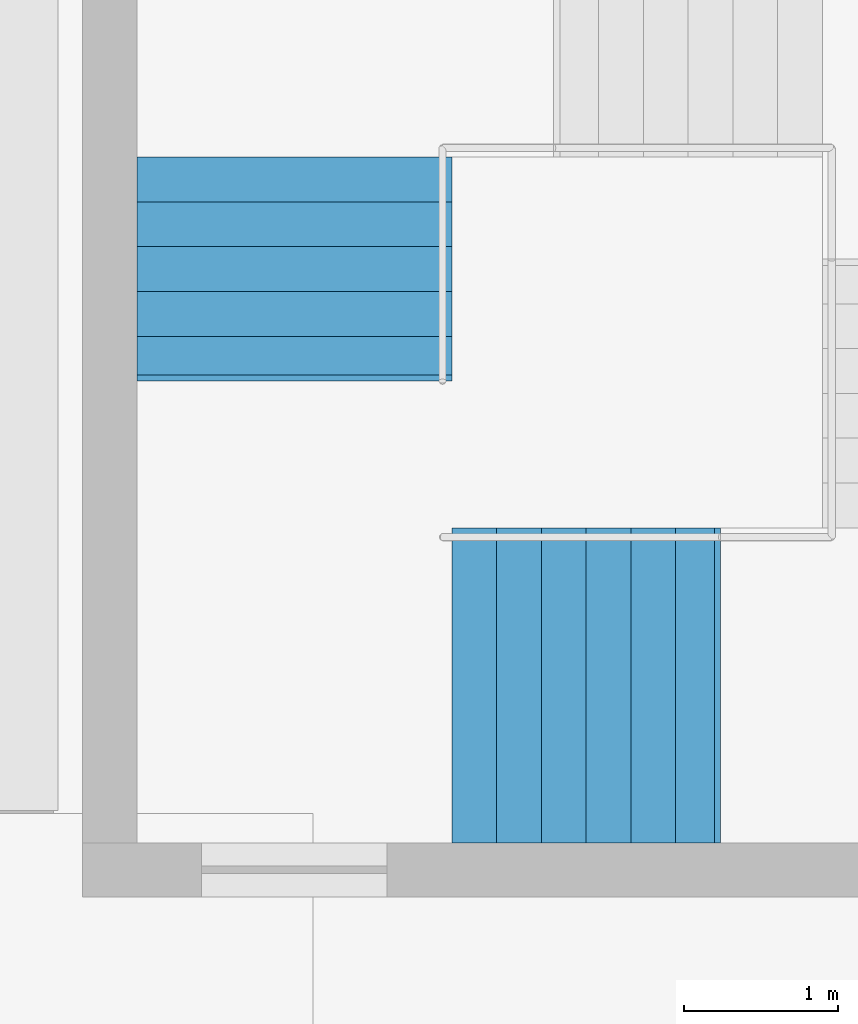
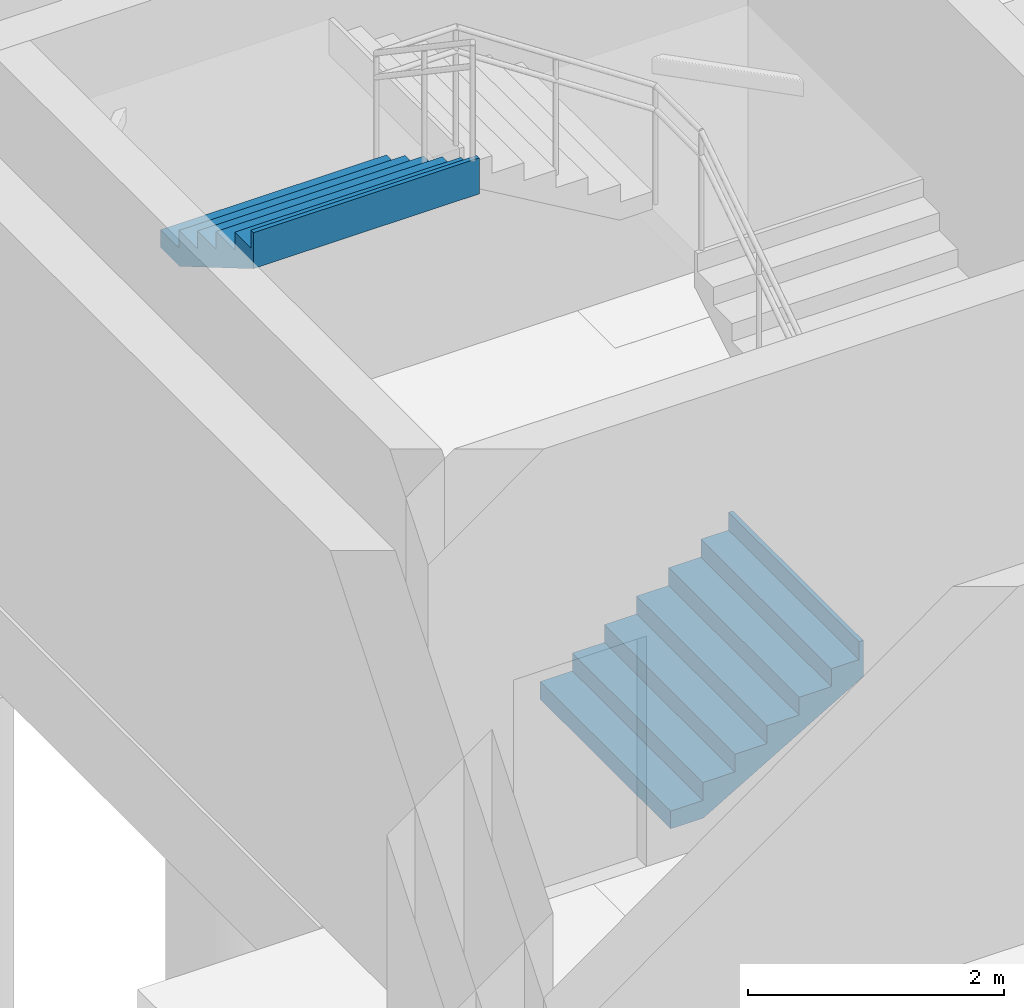
# One storey, part 19 of 30: 2 stair flights, 1 element without a shape of its own.
"""IFC4 building model written with IfcOpenShell, lengths in metres."""

import ifcopenshell
import ifcopenshell.guid

model = None  # the IFC model being written
_history = None  # IfcOwnerHistory: only IFC2X3 demands one
_inside = {}  # id of a spatial element -> (the spatial element, [elements in it])
_under = {}  # id of a project, library or spatial element -> (it, [spatial elements below it])
_declared = {}  # id of a project -> (the project, [libraries it declares])
_typed = {}  # id of a type object -> (the type object, [elements of that type])
_made_of = {}  # id of a material, layer set ... -> (it, [elements and type objects made of it])


def new_model(schema):
    """Start an empty IFC model of exactly this schema.

    Asked for "IFC4X3", IfcOpenShell would pick the latest addendum, in which some entities
    have other attributes; the version numbers below select the first issue.
    IFC2X3 requires an IfcOwnerHistory on every rooted entity: one is made here for all.
    """
    global model, _history
    if schema == "IFC4X3":
        model = ifcopenshell.file(schema_version=(4, 3, 0, 0))
    else:
        model = ifcopenshell.file(schema=schema)
    _inside.clear()
    _under.clear()
    _declared.clear()
    _typed.clear()
    _made_of.clear()
    _history = None
    if model.schema == "IFC2X3":
        org = make("IfcOrganization", Name="unknown")
        user = make(
            "IfcPersonAndOrganization",
            ThePerson=make("IfcPerson", FamilyName="unknown"),
            TheOrganization=org,
        )
        app = make(
            "IfcApplication",
            ApplicationDeveloper=org,
            Version="unknown",
            ApplicationFullName="unknown",
            ApplicationIdentifier="unknown",
        )
        _history = make(
            "IfcOwnerHistory",
            OwningUser=user,
            OwningApplication=app,
            ChangeAction="ADDED",
            CreationDate=0,
        )
    return model


def make(cls, **values):
    """One entity of the class cls with the attributes given. An attribute that is None is left unset."""
    return model.create_entity(
        cls, **{name: value for name, value in values.items() if value is not None}
    )


def rooted(cls, **values):
    """An entity with a GlobalId (a new one), such as an element, a storey or a relation."""
    return make(cls, GlobalId=ifcopenshell.guid.new(), OwnerHistory=_history, **values)


def si_unit(unit_type, name, prefix=None):
    """IfcSIUnit, for example si_unit("LENGTHUNIT", "METRE", prefix="MILLI")."""
    return make("IfcSIUnit", UnitType=unit_type, Prefix=prefix, Name=name)


def assignment(units):
    """IfcUnitAssignment: the units of a project."""
    return None if units is None else make("IfcUnitAssignment", Units=units)


def point(xyz):
    """IfcCartesianPoint."""
    return None if xyz is None else make("IfcCartesianPoint", Coordinates=xyz)


def direction(xyz):
    """IfcDirection."""
    return None if xyz is None else make("IfcDirection", DirectionRatios=xyz)


def frame(location, z_axis=None, x_axis=None):
    """IfcAxis2Placement3D, a coordinate frame: its origin and axes. An axis left out is left unset."""
    return make(
        "IfcAxis2Placement3D",
        Location=point(location),
        Axis=direction(z_axis),
        RefDirection=direction(x_axis),
    )


def origin():
    """The frame at (0, 0, 0) with its axes left unset."""
    return frame((0.0, 0.0, 0.0))


def place(relative_to, where):
    """IfcLocalPlacement: puts the frame where relative to a parent placement (None: the world)."""
    return make(
        "IfcLocalPlacement", PlacementRelTo=relative_to, RelativePlacement=where
    )


def context(
    kind, dimensions, precision=None, world=None, true_north=None, identifier=None
):
    """IfcGeometricRepresentationContext, for example the 3D "Model" context."""
    return make(
        "IfcGeometricRepresentationContext",
        ContextIdentifier=identifier,
        ContextType=kind,
        CoordinateSpaceDimension=dimensions,
        Precision=precision,
        WorldCoordinateSystem=world,
        TrueNorth=true_north,
    )


def subcontext(parent, identifier, kind, view, scale=None):
    """IfcGeometricRepresentationSubContext, for example "Body" below "Model"."""
    return make(
        "IfcGeometricRepresentationSubContext",
        ContextIdentifier=identifier,
        ContextType=kind,
        ParentContext=parent,
        TargetScale=scale,
        TargetView=view,
    )


def project(units=None, contexts=None):
    """IfcProject with its units and contexts."""
    return rooted(
        "IfcProject",
        Name="project",
        RepresentationContexts=contexts,
        UnitsInContext=assignment(units),
    )


def spatial(cls, under=None, at=None, **own):
    """A site, building, storey or space (cls), placed at a placement, below another one or the project."""
    s = rooted(cls, ObjectPlacement=at, **own)
    if under is not None:
        _under.setdefault(under.id(), (under, []))[1].append(s)
    return s


def point_list(points):
    """IfcCartesianPointList2D or 3D."""
    cls = (
        "IfcCartesianPointList2D" if len(points[0]) == 2 else "IfcCartesianPointList3D"
    )
    return make(cls, CoordList=points)


def triangles(points, corners, closed=None, point_numbers=None):
    """IfcTriangulatedFaceSet: each triangle names its three corners, points numbered from 1."""
    return make(
        "IfcTriangulatedFaceSet",
        Coordinates=point_list(points),
        Closed=closed,
        CoordIndex=corners,
        PnIndex=point_numbers,
    )


def shape(context_of_items, identifier, shape_type, items):
    """IfcShapeRepresentation: the items that make up one representation, for example the "Body"."""
    return make(
        "IfcShapeRepresentation",
        ContextOfItems=context_of_items,
        RepresentationIdentifier=identifier,
        RepresentationType=shape_type,
        Items=items,
    )


def material(Name=None, Category=None):
    """IfcMaterial."""
    return make("IfcMaterial", Name=Name, Category=Category)


def made_of(thing, what):
    """Note that an element or type object is made of a material, layer set ...; save() writes the relation."""
    if what is not None:
        _made_of.setdefault(what.id(), (what, []))[1].append(thing)
    return thing


def type_object(cls, material=None, **own):
    """A type object (cls), such as IfcWallType, which elements share."""
    return made_of(rooted(cls, **own), material)


def element(
    cls,
    number,
    at=None,
    inside=None,
    cuts=None,
    type_object=None,
    material=None,
    context=None,
    identifier="Body",
    shape_type=None,
    held_by="IfcProductDefinitionShape",
    body=None,
    shapes=None,
    **own,
):
    """One element of the class cls, such as IfcWall. Its Tag is "e" and its number.

    at: its placement. inside: the storey or other place that contains it. cuts: it is an
    opening in that element (IfcRelVoidsElement). A single representation is given by context,
    identifier, shape_type and body (its items); several are given by shapes. held_by: the class
    of the entity that holds the representations. save() writes the other relations.
    """
    e = rooted(cls, Tag="e%d" % number, ObjectPlacement=at, **own)
    if body is not None:
        shapes = [shape(context, identifier, shape_type, body)]
    if shapes is not None:
        e.Representation = make(held_by, Representations=shapes)
    if inside is not None:
        _inside.setdefault(inside.id(), (inside, []))[1].append(e)
    if cuts is not None:
        rooted(
            "IfcRelVoidsElement", RelatingBuildingElement=cuts, RelatedOpeningElement=e
        )
    if type_object is not None:
        _typed.setdefault(type_object.id(), (type_object, []))[1].append(e)
    return made_of(e, material)


def aggregate(whole, parts):
    """IfcRelAggregates: a whole, such as a stair, and the parts it consists of."""
    return rooted("IfcRelAggregates", RelatingObject=whole, RelatedObjects=parts)


def save(model, path):
    """Write the relations noted so far, then the file.

    IfcRelAggregates (storeys below a building ...), IfcRelContainedInSpatialStructure (elements
    in a storey), IfcRelDefinesByType, IfcRelAssociatesMaterial and IfcRelDeclares: one each for
    every whole, place, type object, material and project.
    """
    for whole, parts in _under.values():
        aggregate(whole, parts)
    for where, things in _inside.values():
        rooted(
            "IfcRelContainedInSpatialStructure",
            RelatedElements=things,
            RelatingStructure=where,
        )
    for kind, things in _typed.values():
        rooted("IfcRelDefinesByType", RelatedObjects=things, RelatingType=kind)
    for what, things in _made_of.values():
        rooted("IfcRelAssociatesMaterial", RelatedObjects=things, RelatingMaterial=what)
    for by, libraries in _declared.values():
        rooted("IfcRelDeclares", RelatingContext=by, RelatedDefinitions=libraries)
    model.write(path)


model = new_model("IFC4")

# Units and contexts
model_context = context("Model", 3, precision=1e-05, world=origin(), true_north=direction((0.0, 1.0)))
body_context = subcontext(model_context, "Body", "Model", "MODEL_VIEW")
ifc_project = project(units=[si_unit("LENGTHUNIT", "METRE"), si_unit("AREAUNIT", "SQUARE_METRE"), si_unit("VOLUMEUNIT", "CUBIC_METRE"), si_unit("PLANEANGLEUNIT", "RADIAN"), si_unit("MASSUNIT", "GRAM", prefix="KILO")], contexts=[model_context])

# Site, building, storey
site_placement = place(None, origin())
site = spatial("IfcSite", under=ifc_project, at=site_placement, CompositionType="ELEMENT")
building_placement = place(site_placement, origin())
building = spatial("IfcBuilding", under=site, at=building_placement, Name="Sillaruma Civic Art Gallery", CompositionType="ELEMENT")
storey_placement = place(building_placement, frame((0.0, 0.0, -9.179931640625)))
storey = spatial("IfcBuildingStorey", under=building, at=storey_placement, Name="B02", CompositionType="ELEMENT", Elevation=-9.179931640625)

# Stair, stair flights
ifc_material = material(Name="Concrete H35 (35 MPa)", Category="concrete")
stair_type = type_object("IfcStairType", Name="STR-4F-27", PredefinedType="USERDEFINED", material=ifc_material)
stair_placement = place(storey_placement, origin())
stair = element("IfcStair", 1, at=stair_placement, inside=storey, type_object=stair_type, Name="Protected Exit Stair ST-03 (West Bar South) (B02)", ObjectType="THREE_RETURN_STAIR", PredefinedType="USERDEFINED")
stair_flight_type_1 = type_object("IfcStairFlightType", Name="SFL-STR-6", PredefinedType="STRAIGHT", material=ifc_material)
stair_flight_1_placement = place(storey_placement, frame((63.780029296875, 35.85009765625, 3.56982421875), z_axis=(0.0, 0.0, 1.0), x_axis=(0.0, -1.0, 0.0)))
stair_flight_1 = element("IfcStairFlight", 2, at=stair_flight_1_placement, type_object=stair_flight_type_1, Name="ST-03 flight 4", NumberOfRisers=6, NumberOfTreads=5, PredefinedType="STRAIGHT", RiserHeight=0.17, TreadLength=0.29, context=body_context, shape_type="Tessellation", body=[
    triangles([(0.0, -1.02001953125, 0.0), (0.29, -1.02001953125, 0.0), (0.296365, -1.02001953125, 0.0), (0.58, -1.02001953125, 0.166269), (0.87, -1.02001953125, 0.336269), (1.16, -1.02001953125, 0.506269), (1.409951, -1.02001953125, 0.652792), (1.449951, -1.02001953125, 0.67624), (1.449951, -1.02001953125, 1.02), (1.409951, -1.02001953125, 1.02), (1.409951, -1.02001953125, 0.85), (1.16, -1.02001953125, 0.85), (1.16, -1.02001953125, 0.68), (0.87, -1.02001953125, 0.68), (0.87, -1.02001953125, 0.51), (0.58, -1.02001953125, 0.51), (0.58, -1.02001953125, 0.34), (0.296365, -1.02001953125, 0.34), (0.29, -1.02001953125, 0.34), (0.29, -1.02001953125, 0.17), (0.0, -1.02001953125, 0.17), (0.0, -0.05, 0.0), (0.29, -0.05, 0.0), (0.296365, -0.05, 0.0), (0.58, -0.05, 0.166269), (0.87, -0.05, 0.336269), (1.16, -0.05, 0.506269), (1.409951, -0.05, 0.652792), (1.449951, -0.05, 0.67624), (1.449951, -0.05, 1.02), (1.409951, -0.05, 1.02), (1.409951, -0.05, 0.85), (1.16, -0.05, 0.85), (1.16, -0.05, 0.68), (0.87, -0.05, 0.68), (0.87, -0.05, 0.51), (0.58, -0.05, 0.51), (0.58, -0.05, 0.34), (0.296365, -0.05, 0.34), (0.29, -0.05, 0.34), (0.29, -0.05, 0.17), (0.0, -0.05, 0.17), (0.0, -0.0375, 0.0), (0.29, -0.0375, 0.0), (0.296365, -0.0375, 0.0), (0.58, -0.0375, 0.166269), (0.87, -0.0375, 0.336269), (1.16, -0.0375, 0.506269), (1.409951, -0.0375, 0.652792), (1.449951, -0.0375, 0.67624), (1.449951, -0.0375, 1.02), (1.409951, -0.0375, 1.02), (1.409951, -0.0375, 0.85), (1.16, -0.0375, 0.85), (1.16, -0.0375, 0.68), (0.87, -0.0375, 0.68), (0.87, -0.0375, 0.51), (0.58, -0.0375, 0.51), (0.58, -0.0375, 0.34), (0.296365, -0.0375, 0.34), (0.29, -0.0375, 0.34), (0.29, -0.0375, 0.17), (0.0, -0.0375, 0.17), (0.0, -0.025, 0.0), (0.29, -0.025, 0.0), (0.296365, -0.025, 0.0), (0.58, -0.025, 0.166269), (0.87, -0.025, 0.336269), (1.16, -0.025, 0.506269), (1.409951, -0.025, 0.652792), (1.449951, -0.025, 0.67624), (1.449951, -0.025, 1.02), (1.409951, -0.025, 1.02), (1.409951, -0.025, 0.85), (1.16, -0.025, 0.85), (1.16, -0.025, 0.68), (0.87, -0.025, 0.68), (0.87, -0.025, 0.51), (0.58, -0.025, 0.51), (0.58, -0.025, 0.34), (0.296365, -0.025, 0.34), (0.29, -0.025, 0.34), (0.29, -0.025, 0.17), (0.0, -0.025, 0.17), (0.0, -0.0125, 0.0), (0.29, -0.0125, 0.0), (0.296365, -0.0125, 0.0), (0.58, -0.0125, 0.166269), (0.87, -0.0125, 0.336269), (1.16, -0.0125, 0.506269), (1.409951, -0.0125, 0.652792), (1.449951, -0.0125, 0.67624), (1.449951, -0.0125, 1.02), (1.409951, -0.0125, 1.02), (1.409951, -0.0125, 0.85), (1.16, -0.0125, 0.85), (1.16, -0.0125, 0.68), (0.87, -0.0125, 0.68), (0.87, -0.0125, 0.51), (0.58, -0.0125, 0.51), (0.58, -0.0125, 0.34), (0.296365, -0.0125, 0.34), (0.29, -0.0125, 0.34), (0.29, -0.0125, 0.17), (0.0, -0.0125, 0.17), (0.0, 0.0, 0.0), (0.29, 0.0, 0.0), (0.296365, 0.0, 0.0), (0.58, 0.0, 0.166269), (0.87, 0.0, 0.336269), (1.16, 0.0, 0.506269), (1.409951, 0.0, 0.652792), (1.449951, 0.0, 0.67624), (1.449951, 0.0, 1.02), (1.409951, 0.0, 1.02), (1.409951, 0.0, 0.85), (1.16, 0.0, 0.85), (1.16, 0.0, 0.68), (0.87, 0.0, 0.68), (0.87, 0.0, 0.51), (0.58, 0.0, 0.51), (0.58, 0.0, 0.34), (0.296365, 0.0, 0.34), (0.29, 0.0, 0.34), (0.29, 0.0, 0.17), (0.0, 0.0, 0.17), (0.0, 0.0125, 0.0), (0.29, 0.0125, 0.0), (0.296365, 0.0125, 0.0), (0.58, 0.0125, 0.166269), (0.87, 0.0125, 0.336269), (1.16, 0.0125, 0.506269), (1.409951, 0.0125, 0.652792), (1.449951, 0.0125, 0.67624), (1.449951, 0.0125, 1.02), (1.409951, 0.0125, 1.02), (1.409951, 0.0125, 0.85), (1.16, 0.0125, 0.85), (1.16, 0.0125, 0.68), (0.87, 0.0125, 0.68), (0.87, 0.0125, 0.51), (0.58, 0.0125, 0.51), (0.58, 0.0125, 0.34), (0.296365, 0.0125, 0.34), (0.29, 0.0125, 0.34), (0.29, 0.0125, 0.17), (0.0, 0.0125, 0.17), (0.0, 0.025, 0.0), (0.29, 0.025, 0.0), (0.296365, 0.025, 0.0), (0.58, 0.025, 0.166269), (0.87, 0.025, 0.336269), (1.16, 0.025, 0.506269), (1.409951, 0.025, 0.652792), (1.449951, 0.025, 0.67624), (1.449951, 0.025, 1.02), (1.409951, 0.025, 1.02), (1.409951, 0.025, 0.85), (1.16, 0.025, 0.85), (1.16, 0.025, 0.68), (0.87, 0.025, 0.68), (0.87, 0.025, 0.51), (0.58, 0.025, 0.51), (0.58, 0.025, 0.34), (0.296365, 0.025, 0.34), (0.29, 0.025, 0.34), (0.29, 0.025, 0.17), (0.0, 0.025, 0.17), (0.0, 0.0375, 0.0), (0.29, 0.0375, 0.0), (0.296365, 0.0375, 0.0), (0.58, 0.0375, 0.166269), (0.87, 0.0375, 0.336269), (1.16, 0.0375, 0.506269), (1.409951, 0.0375, 0.652792), (1.449951, 0.0375, 0.67624), (1.449951, 0.0375, 1.02), (1.409951, 0.0375, 1.02), (1.409951, 0.0375, 0.85), (1.16, 0.0375, 0.85), (1.16, 0.0375, 0.68), (0.87, 0.0375, 0.68), (0.87, 0.0375, 0.51), (0.58, 0.0375, 0.51), (0.58, 0.0375, 0.34), (0.296365, 0.0375, 0.34), (0.29, 0.0375, 0.34), (0.29, 0.0375, 0.17), (0.0, 0.0375, 0.17), (0.0, 0.05, 0.0), (0.29, 0.05, 0.0), (0.296365, 0.05, 0.0), (0.58, 0.05, 0.166269), (0.87, 0.05, 0.336269), (1.16, 0.05, 0.506269), (1.409951, 0.05, 0.652792), (1.449951, 0.05, 0.67624), (1.449951, 0.05, 1.02), (1.409951, 0.05, 1.02), (1.409951, 0.05, 0.85), (1.16, 0.05, 0.85), (1.16, 0.05, 0.68), (0.87, 0.05, 0.68), (0.87, 0.05, 0.51), (0.58, 0.05, 0.51), (0.58, 0.05, 0.34), (0.296365, 0.05, 0.34), (0.29, 0.05, 0.34), (0.29, 0.05, 0.17), (0.0, 0.05, 0.17), (0.0, 1.02001953125, 0.0), (0.29, 1.02001953125, 0.0), (0.296365, 1.02001953125, 0.0), (0.58, 1.02001953125, 0.166269), (0.87, 1.02001953125, 0.336269), (1.16, 1.02001953125, 0.506269), (1.409951, 1.02001953125, 0.652792), (1.449951, 1.02001953125, 0.67624), (1.449951, 1.02001953125, 1.02), (1.409951, 1.02001953125, 1.02), (1.409951, 1.02001953125, 0.85), (1.16, 1.02001953125, 0.85), (1.16, 1.02001953125, 0.68), (0.87, 1.02001953125, 0.68), (0.87, 1.02001953125, 0.51), (0.58, 1.02001953125, 0.51), (0.58, 1.02001953125, 0.34), (0.296365, 1.02001953125, 0.34), (0.29, 1.02001953125, 0.34), (0.29, 1.02001953125, 0.17), (0.0, 1.02001953125, 0.17)], [[1, 2, 20], [1, 20, 21], [2, 3, 18], [2, 18, 20], [20, 18, 19], [3, 4, 17], [3, 17, 18], [4, 5, 15], [4, 15, 17], [17, 15, 16], [5, 6, 13], [5, 13, 15], [15, 13, 14], [6, 7, 11], [6, 11, 13], [13, 11, 12], [7, 8, 9], [7, 9, 11], [11, 9, 10], [230, 212, 211], [231, 230, 211], [228, 213, 212], [230, 228, 212], [229, 228, 230], [227, 214, 213], [228, 227, 213], [225, 215, 214], [227, 225, 214], [226, 225, 227], [223, 216, 215], [225, 223, 215], [224, 223, 225], [221, 217, 216], [223, 221, 216], [222, 221, 223], [219, 218, 217], [221, 219, 217], [220, 219, 221], [2, 1, 22], [2, 22, 23], [3, 2, 23], [3, 23, 24], [4, 3, 24], [4, 24, 25], [5, 4, 25], [5, 25, 26], [6, 5, 26], [6, 26, 27], [7, 6, 27], [7, 27, 28], [8, 7, 28], [8, 28, 29], [9, 8, 29], [9, 29, 30], [10, 9, 30], [10, 30, 31], [11, 10, 31], [11, 31, 32], [12, 11, 32], [12, 32, 33], [13, 12, 33], [13, 33, 34], [14, 13, 34], [14, 34, 35], [15, 14, 35], [15, 35, 36], [16, 15, 36], [16, 36, 37], [17, 16, 37], [17, 37, 38], [18, 17, 38], [18, 38, 39], [19, 18, 39], [19, 39, 40], [20, 19, 40], [20, 40, 41], [21, 20, 41], [21, 41, 42], [1, 21, 42], [1, 42, 22], [23, 22, 43], [23, 43, 44], [24, 23, 44], [24, 44, 45], [25, 24, 45], [25, 45, 46], [26, 25, 46], [26, 46, 47], [27, 26, 47], [27, 47, 48], [28, 27, 48], [28, 48, 49], [29, 28, 49], [29, 49, 50], [30, 29, 50], [30, 50, 51], [31, 30, 51], [31, 51, 52], [32, 31, 52], [32, 52, 53], [33, 32, 53], [33, 53, 54], [34, 33, 54], [34, 54, 55], [35, 34, 55], [35, 55, 56], [36, 35, 56], [36, 56, 57], [37, 36, 57], [37, 57, 58], [38, 37, 58], [38, 58, 59], [39, 38, 59], [39, 59, 60], [40, 39, 60], [40, 60, 61], [41, 40, 61], [41, 61, 62], [42, 41, 62], [42, 62, 63], [22, 42, 63], [22, 63, 43], [44, 43, 64], [44, 64, 65], [45, 44, 65], [45, 65, 66], [46, 45, 66], [46, 66, 67], [47, 46, 67], [47, 67, 68], [48, 47, 68], [48, 68, 69], [49, 48, 69], [49, 69, 70], [50, 49, 70], [50, 70, 71], [51, 50, 71], [51, 71, 72], [52, 51, 72], [52, 72, 73], [53, 52, 73], [53, 73, 74], [54, 53, 74], [54, 74, 75], [55, 54, 75], [55, 75, 76], [56, 55, 76], [56, 76, 77], [57, 56, 77], [57, 77, 78], [58, 57, 78], [58, 78, 79], [59, 58, 79], [59, 79, 80], [60, 59, 80], [60, 80, 81], [61, 60, 81], [61, 81, 82], [62, 61, 82], [62, 82, 83], [63, 62, 83], [63, 83, 84], [43, 63, 84], [43, 84, 64], [65, 64, 85], [65, 85, 86], [66, 65, 86], [66, 86, 87], [67, 66, 87], [67, 87, 88], [68, 67, 88], [68, 88, 89], [69, 68, 89], [69, 89, 90], [70, 69, 90], [70, 90, 91], [71, 70, 91], [71, 91, 92], [72, 71, 92], [72, 92, 93], [73, 72, 93], [73, 93, 94], [74, 73, 94], [74, 94, 95], [75, 74, 95], [75, 95, 96], [76, 75, 96], [76, 96, 97], [77, 76, 97], [77, 97, 98], [78, 77, 98], [78, 98, 99], [79, 78, 99], [79, 99, 100], [80, 79, 100], [80, 100, 101], [81, 80, 101], [81, 101, 102], [82, 81, 102], [82, 102, 103], [83, 82, 103], [83, 103, 104], [84, 83, 104], [84, 104, 105], [64, 84, 105], [64, 105, 85], [86, 85, 106], [86, 106, 107], [87, 86, 107], [87, 107, 108], [88, 87, 108], [88, 108, 109], [89, 88, 109], [89, 109, 110], [90, 89, 110], [90, 110, 111], [91, 90, 111], [91, 111, 112], [92, 91, 112], [92, 112, 113], [93, 92, 113], [93, 113, 114], [94, 93, 114], [94, 114, 115], [95, 94, 115], [95, 115, 116], [96, 95, 116], [96, 116, 117], [97, 96, 117], [97, 117, 118], [98, 97, 118], [98, 118, 119], [99, 98, 119], [99, 119, 120], [100, 99, 120], [100, 120, 121], [101, 100, 121], [101, 121, 122], [102, 101, 122], [102, 122, 123], [103, 102, 123], [103, 123, 124], [104, 103, 124], [104, 124, 125], [105, 104, 125], [105, 125, 126], [85, 105, 126], [85, 126, 106], [107, 106, 127], [107, 127, 128], [108, 107, 128], [108, 128, 129], [109, 108, 129], [109, 129, 130], [110, 109, 130], [110, 130, 131], [111, 110, 131], [111, 131, 132], [112, 111, 132], [112, 132, 133], [113, 112, 133], [113, 133, 134], [114, 113, 134], [114, 134, 135], [115, 114, 135], [115, 135, 136], [116, 115, 136], [116, 136, 137], [117, 116, 137], [117, 137, 138], [118, 117, 138], [118, 138, 139], [119, 118, 139], [119, 139, 140], [120, 119, 140], [120, 140, 141], [121, 120, 141], [121, 141, 142], [122, 121, 142], [122, 142, 143], [123, 122, 143], [123, 143, 144], [124, 123, 144], [124, 144, 145], [125, 124, 145], [125, 145, 146], [126, 125, 146], [126, 146, 147], [106, 126, 147], [106, 147, 127], [128, 127, 148], [128, 148, 149], [129, 128, 149], [129, 149, 150], [130, 129, 150], [130, 150, 151], [131, 130, 151], [131, 151, 152], [132, 131, 152], [132, 152, 153], [133, 132, 153], [133, 153, 154], [134, 133, 154], [134, 154, 155], [135, 134, 155], [135, 155, 156], [136, 135, 156], [136, 156, 157], [137, 136, 157], [137, 157, 158], [138, 137, 158], [138, 158, 159], [139, 138, 159], [139, 159, 160], [140, 139, 160], [140, 160, 161], [141, 140, 161], [141, 161, 162], [142, 141, 162], [142, 162, 163], [143, 142, 163], [143, 163, 164], [144, 143, 164], [144, 164, 165], [145, 144, 165], [145, 165, 166], [146, 145, 166], [146, 166, 167], [147, 146, 167], [147, 167, 168], [127, 147, 168], [127, 168, 148], [149, 148, 169], [149, 169, 170], [150, 149, 170], [150, 170, 171], [151, 150, 171], [151, 171, 172], [152, 151, 172], [152, 172, 173], [153, 152, 173], [153, 173, 174], [154, 153, 174], [154, 174, 175], [155, 154, 175], [155, 175, 176], [156, 155, 176], [156, 176, 177], [157, 156, 177], [157, 177, 178], [158, 157, 178], [158, 178, 179], [159, 158, 179], [159, 179, 180], [160, 159, 180], [160, 180, 181], [161, 160, 181], [161, 181, 182], [162, 161, 182], [162, 182, 183], [163, 162, 183], [163, 183, 184], [164, 163, 184], [164, 184, 185], [165, 164, 185], [165, 185, 186], [166, 165, 186], [166, 186, 187], [167, 166, 187], [167, 187, 188], [168, 167, 188], [168, 188, 189], [148, 168, 189], [148, 189, 169], [170, 169, 190], [170, 190, 191], [171, 170, 191], [171, 191, 192], [172, 171, 192], [172, 192, 193], [173, 172, 193], [173, 193, 194], [174, 173, 194], [174, 194, 195], [175, 174, 195], [175, 195, 196], [176, 175, 196], [176, 196, 197], [177, 176, 197], [177, 197, 198], [178, 177, 198], [178, 198, 199], [179, 178, 199], [179, 199, 200], [180, 179, 200], [180, 200, 201], [181, 180, 201], [181, 201, 202], [182, 181, 202], [182, 202, 203], [183, 182, 203], [183, 203, 204], [184, 183, 204], [184, 204, 205], [185, 184, 205], [185, 205, 206], [186, 185, 206], [186, 206, 207], [187, 186, 207], [187, 207, 208], [188, 187, 208], [188, 208, 209], [189, 188, 209], [189, 209, 210], [169, 189, 210], [169, 210, 190], [191, 190, 211], [191, 211, 212], [192, 191, 212], [192, 212, 213], [193, 192, 213], [193, 213, 214], [194, 193, 214], [194, 214, 215], [195, 194, 215], [195, 215, 216], [196, 195, 216], [196, 216, 217], [197, 196, 217], [197, 217, 218], [198, 197, 218], [198, 218, 219], [199, 198, 219], [199, 219, 220], [200, 199, 220], [200, 220, 221], [201, 200, 221], [201, 221, 222], [202, 201, 222], [202, 222, 223], [203, 202, 223], [203, 223, 224], [204, 203, 224], [204, 224, 225], [205, 204, 225], [205, 225, 226], [206, 205, 226], [206, 226, 227], [207, 206, 227], [207, 227, 228], [208, 207, 228], [208, 228, 229], [209, 208, 229], [209, 229, 230], [210, 209, 230], [210, 230, 231], [190, 210, 231], [190, 231, 211]], closed=True),
])
stair_flight_type_2 = type_object("IfcStairFlightType", Name="SFL-STR-7", PredefinedType="STRAIGHT", material=ifc_material)
stair_flight_2_placement = place(storey_placement, frame((64.800048828125, 32.429931640625, 0.0), z_axis=(0.0, 0.0, 1.0), x_axis=(1.0, 0.0, 0.0)))
stair_flight_2 = element("IfcStairFlight", 3, at=stair_flight_2_placement, type_object=stair_flight_type_2, Name="ST-03 flight 1", NumberOfRisers=7, NumberOfTreads=6, PredefinedType="STRAIGHT", RiserHeight=0.17, TreadLength=0.29, context=body_context, shape_type="Tessellation", body=[
    triangles([(0.0, -1.02001953125, 0.0), (0.29, -1.02001953125, 0.0), (0.296404, -1.02001953125, 0.0), (0.58, -1.02001953125, 0.166246), (0.87, -1.02001953125, 0.336246), (1.16, -1.02001953125, 0.506246), (1.45, -1.02001953125, 0.676246), (1.69999, -1.02001953125, 0.822792), (1.73999, -1.02001953125, 0.84624), (1.73999, -1.02001953125, 1.19), (1.69999, -1.02001953125, 1.19), (1.69999, -1.02001953125, 1.02), (1.45, -1.02001953125, 1.02), (1.45, -1.02001953125, 0.85), (1.16, -1.02001953125, 0.85), (1.16, -1.02001953125, 0.68), (0.87, -1.02001953125, 0.68), (0.87, -1.02001953125, 0.51), (0.58, -1.02001953125, 0.51), (0.58, -1.02001953125, 0.34), (0.296404, -1.02001953125, 0.34), (0.29, -1.02001953125, 0.34), (0.29, -1.02001953125, 0.17), (0.0, -1.02001953125, 0.17), (0.0, -0.05, 0.0), (0.29, -0.05, 0.0), (0.296404, -0.05, 0.0), (0.58, -0.05, 0.166246), (0.87, -0.05, 0.336246), (1.16, -0.05, 0.506246), (1.45, -0.05, 0.676246), (1.69999, -0.05, 0.822792), (1.73999, -0.05, 0.84624), (1.73999, -0.05, 1.19), (1.69999, -0.05, 1.19), (1.69999, -0.05, 1.02), (1.45, -0.05, 1.02), (1.45, -0.05, 0.85), (1.16, -0.05, 0.85), (1.16, -0.05, 0.68), (0.87, -0.05, 0.68), (0.87, -0.05, 0.51), (0.58, -0.05, 0.51), (0.58, -0.05, 0.34), (0.296404, -0.05, 0.34), (0.29, -0.05, 0.34), (0.29, -0.05, 0.17), (0.0, -0.05, 0.17), (0.0, -0.0375, 0.0), (0.29, -0.0375, 0.0), (0.296404, -0.0375, 0.0), (0.58, -0.0375, 0.166246), (0.87, -0.0375, 0.336246), (1.16, -0.0375, 0.506246), (1.45, -0.0375, 0.676246), (1.69999, -0.0375, 0.822792), (1.73999, -0.0375, 0.84624), (1.73999, -0.0375, 1.19), (1.69999, -0.0375, 1.19), (1.69999, -0.0375, 1.02), (1.45, -0.0375, 1.02), (1.45, -0.0375, 0.85), (1.16, -0.0375, 0.85), (1.16, -0.0375, 0.68), (0.87, -0.0375, 0.68), (0.87, -0.0375, 0.51), (0.58, -0.0375, 0.51), (0.58, -0.0375, 0.34), (0.296404, -0.0375, 0.34), (0.29, -0.0375, 0.34), (0.29, -0.0375, 0.17), (0.0, -0.0375, 0.17), (0.0, -0.025, 0.0), (0.29, -0.025, 0.0), (0.296404, -0.025, 0.0), (0.58, -0.025, 0.166246), (0.87, -0.025, 0.336246), (1.16, -0.025, 0.506246), (1.45, -0.025, 0.676246), (1.69999, -0.025, 0.822792), (1.73999, -0.025, 0.84624), (1.73999, -0.025, 1.19), (1.69999, -0.025, 1.19), (1.69999, -0.025, 1.02), (1.45, -0.025, 1.02), (1.45, -0.025, 0.85), (1.16, -0.025, 0.85), (1.16, -0.025, 0.68), (0.87, -0.025, 0.68), (0.87, -0.025, 0.51), (0.58, -0.025, 0.51), (0.58, -0.025, 0.34), (0.296404, -0.025, 0.34), (0.29, -0.025, 0.34), (0.29, -0.025, 0.17), (0.0, -0.025, 0.17), (0.0, -0.0125, 0.0), (0.29, -0.0125, 0.0), (0.296404, -0.0125, 0.0), (0.58, -0.0125, 0.166246), (0.87, -0.0125, 0.336246), (1.16, -0.0125, 0.506246), (1.45, -0.0125, 0.676246), (1.69999, -0.0125, 0.822792), (1.73999, -0.0125, 0.84624), (1.73999, -0.0125, 1.19), (1.69999, -0.0125, 1.19), (1.69999, -0.0125, 1.02), (1.45, -0.0125, 1.02), (1.45, -0.0125, 0.85), (1.16, -0.0125, 0.85), (1.16, -0.0125, 0.68), (0.87, -0.0125, 0.68), (0.87, -0.0125, 0.51), (0.58, -0.0125, 0.51), (0.58, -0.0125, 0.34), (0.296404, -0.0125, 0.34), (0.29, -0.0125, 0.34), (0.29, -0.0125, 0.17), (0.0, -0.0125, 0.17), (0.0, 0.0, 0.0), (0.29, 0.0, 0.0), (0.296404, 0.0, 0.0), (0.58, 0.0, 0.166246), (0.87, 0.0, 0.336246), (1.16, 0.0, 0.506246), (1.45, 0.0, 0.676246), (1.69999, 0.0, 0.822792), (1.73999, 0.0, 0.84624), (1.73999, 0.0, 1.19), (1.69999, 0.0, 1.19), (1.69999, 0.0, 1.02), (1.45, 0.0, 1.02), (1.45, 0.0, 0.85), (1.16, 0.0, 0.85), (1.16, 0.0, 0.68), (0.87, 0.0, 0.68), (0.87, 0.0, 0.51), (0.58, 0.0, 0.51), (0.58, 0.0, 0.34), (0.296404, 0.0, 0.34), (0.29, 0.0, 0.34), (0.29, 0.0, 0.17), (0.0, 0.0, 0.17), (0.0, 0.0125, 0.0), (0.29, 0.0125, 0.0), (0.296404, 0.0125, 0.0), (0.58, 0.0125, 0.166246), (0.87, 0.0125, 0.336246), (1.16, 0.0125, 0.506246), (1.45, 0.0125, 0.676246), (1.69999, 0.0125, 0.822792), (1.73999, 0.0125, 0.84624), (1.73999, 0.0125, 1.19), (1.69999, 0.0125, 1.19), (1.69999, 0.0125, 1.02), (1.45, 0.0125, 1.02), (1.45, 0.0125, 0.85), (1.16, 0.0125, 0.85), (1.16, 0.0125, 0.68), (0.87, 0.0125, 0.68), (0.87, 0.0125, 0.51), (0.58, 0.0125, 0.51), (0.58, 0.0125, 0.34), (0.296404, 0.0125, 0.34), (0.29, 0.0125, 0.34), (0.29, 0.0125, 0.17), (0.0, 0.0125, 0.17), (0.0, 0.025, 0.0), (0.29, 0.025, 0.0), (0.296404, 0.025, 0.0), (0.58, 0.025, 0.166246), (0.87, 0.025, 0.336246), (1.16, 0.025, 0.506246), (1.45, 0.025, 0.676246), (1.69999, 0.025, 0.822792), (1.73999, 0.025, 0.84624), (1.73999, 0.025, 1.19), (1.69999, 0.025, 1.19), (1.69999, 0.025, 1.02), (1.45, 0.025, 1.02), (1.45, 0.025, 0.85), (1.16, 0.025, 0.85), (1.16, 0.025, 0.68), (0.87, 0.025, 0.68), (0.87, 0.025, 0.51), (0.58, 0.025, 0.51), (0.58, 0.025, 0.34), (0.296404, 0.025, 0.34), (0.29, 0.025, 0.34), (0.29, 0.025, 0.17), (0.0, 0.025, 0.17), (0.0, 0.0375, 0.0), (0.29, 0.0375, 0.0), (0.296404, 0.0375, 0.0), (0.58, 0.0375, 0.166246), (0.87, 0.0375, 0.336246), (1.16, 0.0375, 0.506246), (1.45, 0.0375, 0.676246), (1.69999, 0.0375, 0.822792), (1.73999, 0.0375, 0.84624), (1.73999, 0.0375, 1.19), (1.69999, 0.0375, 1.19), (1.69999, 0.0375, 1.02), (1.45, 0.0375, 1.02), (1.45, 0.0375, 0.85), (1.16, 0.0375, 0.85), (1.16, 0.0375, 0.68), (0.87, 0.0375, 0.68), (0.87, 0.0375, 0.51), (0.58, 0.0375, 0.51), (0.58, 0.0375, 0.34), (0.296404, 0.0375, 0.34), (0.29, 0.0375, 0.34), (0.29, 0.0375, 0.17), (0.0, 0.0375, 0.17), (0.0, 0.05, 0.0), (0.29, 0.05, 0.0), (0.296404, 0.05, 0.0), (0.58, 0.05, 0.166246), (0.87, 0.05, 0.336246), (1.16, 0.05, 0.506246), (1.45, 0.05, 0.676246), (1.69999, 0.05, 0.822792), (1.73999, 0.05, 0.84624), (1.73999, 0.05, 1.19), (1.69999, 0.05, 1.19), (1.69999, 0.05, 1.02), (1.45, 0.05, 1.02), (1.45, 0.05, 0.85), (1.16, 0.05, 0.85), (1.16, 0.05, 0.68), (0.87, 0.05, 0.68), (0.87, 0.05, 0.51), (0.58, 0.05, 0.51), (0.58, 0.05, 0.34), (0.296404, 0.05, 0.34), (0.29, 0.05, 0.34), (0.29, 0.05, 0.17), (0.0, 0.05, 0.17), (0.0, 1.02001953125, 0.0), (0.29, 1.02001953125, 0.0), (0.296404, 1.02001953125, 0.0), (0.58, 1.02001953125, 0.166246), (0.87, 1.02001953125, 0.336246), (1.16, 1.02001953125, 0.506246), (1.45, 1.02001953125, 0.676246), (1.69999, 1.02001953125, 0.822792), (1.73999, 1.02001953125, 0.84624), (1.73999, 1.02001953125, 1.19), (1.69999, 1.02001953125, 1.19), (1.69999, 1.02001953125, 1.02), (1.45, 1.02001953125, 1.02), (1.45, 1.02001953125, 0.85), (1.16, 1.02001953125, 0.85), (1.16, 1.02001953125, 0.68), (0.87, 1.02001953125, 0.68), (0.87, 1.02001953125, 0.51), (0.58, 1.02001953125, 0.51), (0.58, 1.02001953125, 0.34), (0.296404, 1.02001953125, 0.34), (0.29, 1.02001953125, 0.34), (0.29, 1.02001953125, 0.17), (0.0, 1.02001953125, 0.17)], [[1, 2, 23], [1, 23, 24], [2, 3, 21], [2, 21, 23], [23, 21, 22], [3, 4, 20], [3, 20, 21], [4, 5, 18], [4, 18, 20], [20, 18, 19], [5, 6, 16], [5, 16, 18], [18, 16, 17], [6, 7, 14], [6, 14, 16], [16, 14, 15], [7, 8, 12], [7, 12, 14], [14, 12, 13], [8, 9, 10], [8, 10, 12], [12, 10, 11], [263, 242, 241], [264, 263, 241], [261, 243, 242], [263, 261, 242], [262, 261, 263], [260, 244, 243], [261, 260, 243], [258, 245, 244], [260, 258, 244], [259, 258, 260], [256, 246, 245], [258, 256, 245], [257, 256, 258], [254, 247, 246], [256, 254, 246], [255, 254, 256], [252, 248, 247], [254, 252, 247], [253, 252, 254], [250, 249, 248], [252, 250, 248], [251, 250, 252], [2, 1, 25], [2, 25, 26], [3, 2, 26], [3, 26, 27], [4, 3, 27], [4, 27, 28], [5, 4, 28], [5, 28, 29], [6, 5, 29], [6, 29, 30], [7, 6, 30], [7, 30, 31], [8, 7, 31], [8, 31, 32], [9, 8, 32], [9, 32, 33], [10, 9, 33], [10, 33, 34], [11, 10, 34], [11, 34, 35], [12, 11, 35], [12, 35, 36], [13, 12, 36], [13, 36, 37], [14, 13, 37], [14, 37, 38], [15, 14, 38], [15, 38, 39], [16, 15, 39], [16, 39, 40], [17, 16, 40], [17, 40, 41], [18, 17, 41], [18, 41, 42], [19, 18, 42], [19, 42, 43], [20, 19, 43], [20, 43, 44], [21, 20, 44], [21, 44, 45], [22, 21, 45], [22, 45, 46], [23, 22, 46], [23, 46, 47], [24, 23, 47], [24, 47, 48], [1, 24, 48], [1, 48, 25], [26, 25, 49], [26, 49, 50], [27, 26, 50], [27, 50, 51], [28, 27, 51], [28, 51, 52], [29, 28, 52], [29, 52, 53], [30, 29, 53], [30, 53, 54], [31, 30, 54], [31, 54, 55], [32, 31, 55], [32, 55, 56], [33, 32, 56], [33, 56, 57], [34, 33, 57], [34, 57, 58], [35, 34, 58], [35, 58, 59], [36, 35, 59], [36, 59, 60], [37, 36, 60], [37, 60, 61], [38, 37, 61], [38, 61, 62], [39, 38, 62], [39, 62, 63], [40, 39, 63], [40, 63, 64], [41, 40, 64], [41, 64, 65], [42, 41, 65], [42, 65, 66], [43, 42, 66], [43, 66, 67], [44, 43, 67], [44, 67, 68], [45, 44, 68], [45, 68, 69], [46, 45, 69], [46, 69, 70], [47, 46, 70], [47, 70, 71], [48, 47, 71], [48, 71, 72], [25, 48, 72], [25, 72, 49], [50, 49, 73], [50, 73, 74], [51, 50, 74], [51, 74, 75], [52, 51, 75], [52, 75, 76], [53, 52, 76], [53, 76, 77], [54, 53, 77], [54, 77, 78], [55, 54, 78], [55, 78, 79], [56, 55, 79], [56, 79, 80], [57, 56, 80], [57, 80, 81], [58, 57, 81], [58, 81, 82], [59, 58, 82], [59, 82, 83], [60, 59, 83], [60, 83, 84], [61, 60, 84], [61, 84, 85], [62, 61, 85], [62, 85, 86], [63, 62, 86], [63, 86, 87], [64, 63, 87], [64, 87, 88], [65, 64, 88], [65, 88, 89], [66, 65, 89], [66, 89, 90], [67, 66, 90], [67, 90, 91], [68, 67, 91], [68, 91, 92], [69, 68, 92], [69, 92, 93], [70, 69, 93], [70, 93, 94], [71, 70, 94], [71, 94, 95], [72, 71, 95], [72, 95, 96], [49, 72, 96], [49, 96, 73], [74, 73, 97], [74, 97, 98], [75, 74, 98], [75, 98, 99], [76, 75, 99], [76, 99, 100], [77, 76, 100], [77, 100, 101], [78, 77, 101], [78, 101, 102], [79, 78, 102], [79, 102, 103], [80, 79, 103], [80, 103, 104], [81, 80, 104], [81, 104, 105], [82, 81, 105], [82, 105, 106], [83, 82, 106], [83, 106, 107], [84, 83, 107], [84, 107, 108], [85, 84, 108], [85, 108, 109], [86, 85, 109], [86, 109, 110], [87, 86, 110], [87, 110, 111], [88, 87, 111], [88, 111, 112], [89, 88, 112], [89, 112, 113], [90, 89, 113], [90, 113, 114], [91, 90, 114], [91, 114, 115], [92, 91, 115], [92, 115, 116], [93, 92, 116], [93, 116, 117], [94, 93, 117], [94, 117, 118], [95, 94, 118], [95, 118, 119], [96, 95, 119], [96, 119, 120], [73, 96, 120], [73, 120, 97], [98, 97, 121], [98, 121, 122], [99, 98, 122], [99, 122, 123], [100, 99, 123], [100, 123, 124], [101, 100, 124], [101, 124, 125], [102, 101, 125], [102, 125, 126], [103, 102, 126], [103, 126, 127], [104, 103, 127], [104, 127, 128], [105, 104, 128], [105, 128, 129], [106, 105, 129], [106, 129, 130], [107, 106, 130], [107, 130, 131], [108, 107, 131], [108, 131, 132], [109, 108, 132], [109, 132, 133], [110, 109, 133], [110, 133, 134], [111, 110, 134], [111, 134, 135], [112, 111, 135], [112, 135, 136], [113, 112, 136], [113, 136, 137], [114, 113, 137], [114, 137, 138], [115, 114, 138], [115, 138, 139], [116, 115, 139], [116, 139, 140], [117, 116, 140], [117, 140, 141], [118, 117, 141], [118, 141, 142], [119, 118, 142], [119, 142, 143], [120, 119, 143], [120, 143, 144], [97, 120, 144], [97, 144, 121], [122, 121, 145], [122, 145, 146], [123, 122, 146], [123, 146, 147], [124, 123, 147], [124, 147, 148], [125, 124, 148], [125, 148, 149], [126, 125, 149], [126, 149, 150], [127, 126, 150], [127, 150, 151], [128, 127, 151], [128, 151, 152], [129, 128, 152], [129, 152, 153], [130, 129, 153], [130, 153, 154], [131, 130, 154], [131, 154, 155], [132, 131, 155], [132, 155, 156], [133, 132, 156], [133, 156, 157], [134, 133, 157], [134, 157, 158], [135, 134, 158], [135, 158, 159], [136, 135, 159], [136, 159, 160], [137, 136, 160], [137, 160, 161], [138, 137, 161], [138, 161, 162], [139, 138, 162], [139, 162, 163], [140, 139, 163], [140, 163, 164], [141, 140, 164], [141, 164, 165], [142, 141, 165], [142, 165, 166], [143, 142, 166], [143, 166, 167], [144, 143, 167], [144, 167, 168], [121, 144, 168], [121, 168, 145], [146, 145, 169], [146, 169, 170], [147, 146, 170], [147, 170, 171], [148, 147, 171], [148, 171, 172], [149, 148, 172], [149, 172, 173], [150, 149, 173], [150, 173, 174], [151, 150, 174], [151, 174, 175], [152, 151, 175], [152, 175, 176], [153, 152, 176], [153, 176, 177], [154, 153, 177], [154, 177, 178], [155, 154, 178], [155, 178, 179], [156, 155, 179], [156, 179, 180], [157, 156, 180], [157, 180, 181], [158, 157, 181], [158, 181, 182], [159, 158, 182], [159, 182, 183], [160, 159, 183], [160, 183, 184], [161, 160, 184], [161, 184, 185], [162, 161, 185], [162, 185, 186], [163, 162, 186], [163, 186, 187], [164, 163, 187], [164, 187, 188], [165, 164, 188], [165, 188, 189], [166, 165, 189], [166, 189, 190], [167, 166, 190], [167, 190, 191], [168, 167, 191], [168, 191, 192], [145, 168, 192], [145, 192, 169], [170, 169, 193], [170, 193, 194], [171, 170, 194], [171, 194, 195], [172, 171, 195], [172, 195, 196], [173, 172, 196], [173, 196, 197], [174, 173, 197], [174, 197, 198], [175, 174, 198], [175, 198, 199], [176, 175, 199], [176, 199, 200], [177, 176, 200], [177, 200, 201], [178, 177, 201], [178, 201, 202], [179, 178, 202], [179, 202, 203], [180, 179, 203], [180, 203, 204], [181, 180, 204], [181, 204, 205], [182, 181, 205], [182, 205, 206], [183, 182, 206], [183, 206, 207], [184, 183, 207], [184, 207, 208], [185, 184, 208], [185, 208, 209], [186, 185, 209], [186, 209, 210], [187, 186, 210], [187, 210, 211], [188, 187, 211], [188, 211, 212], [189, 188, 212], [189, 212, 213], [190, 189, 213], [190, 213, 214], [191, 190, 214], [191, 214, 215], [192, 191, 215], [192, 215, 216], [169, 192, 216], [169, 216, 193], [194, 193, 217], [194, 217, 218], [195, 194, 218], [195, 218, 219], [196, 195, 219], [196, 219, 220], [197, 196, 220], [197, 220, 221], [198, 197, 221], [198, 221, 222], [199, 198, 222], [199, 222, 223], [200, 199, 223], [200, 223, 224], [201, 200, 224], [201, 224, 225], [202, 201, 225], [202, 225, 226], [203, 202, 226], [203, 226, 227], [204, 203, 227], [204, 227, 228], [205, 204, 228], [205, 228, 229], [206, 205, 229], [206, 229, 230], [207, 206, 230], [207, 230, 231], [208, 207, 231], [208, 231, 232], [209, 208, 232], [209, 232, 233], [210, 209, 233], [210, 233, 234], [211, 210, 234], [211, 234, 235], [212, 211, 235], [212, 235, 236], [213, 212, 236], [213, 236, 237], [214, 213, 237], [214, 237, 238], [215, 214, 238], [215, 238, 239], [216, 215, 239], [216, 239, 240], [193, 216, 240], [193, 240, 217], [218, 217, 241], [218, 241, 242], [219, 218, 242], [219, 242, 243], [220, 219, 243], [220, 243, 244], [221, 220, 244], [221, 244, 245], [222, 221, 245], [222, 245, 246], [223, 222, 246], [223, 246, 247], [224, 223, 247], [224, 247, 248], [225, 224, 248], [225, 248, 249], [226, 225, 249], [226, 249, 250], [227, 226, 250], [227, 250, 251], [228, 227, 251], [228, 251, 252], [229, 228, 252], [229, 252, 253], [230, 229, 253], [230, 253, 254], [231, 230, 254], [231, 254, 255], [232, 231, 255], [232, 255, 256], [233, 232, 256], [233, 256, 257], [234, 233, 257], [234, 257, 258], [235, 234, 258], [235, 258, 259], [236, 235, 259], [236, 259, 260], [237, 236, 260], [237, 260, 261], [238, 237, 261], [238, 261, 262], [239, 238, 262], [239, 262, 263], [240, 239, 263], [240, 263, 264], [217, 240, 264], [217, 264, 241]], closed=True),
])
aggregate(stair, [stair_flight_2, stair_flight_1])

save(model, "model.ifc")
